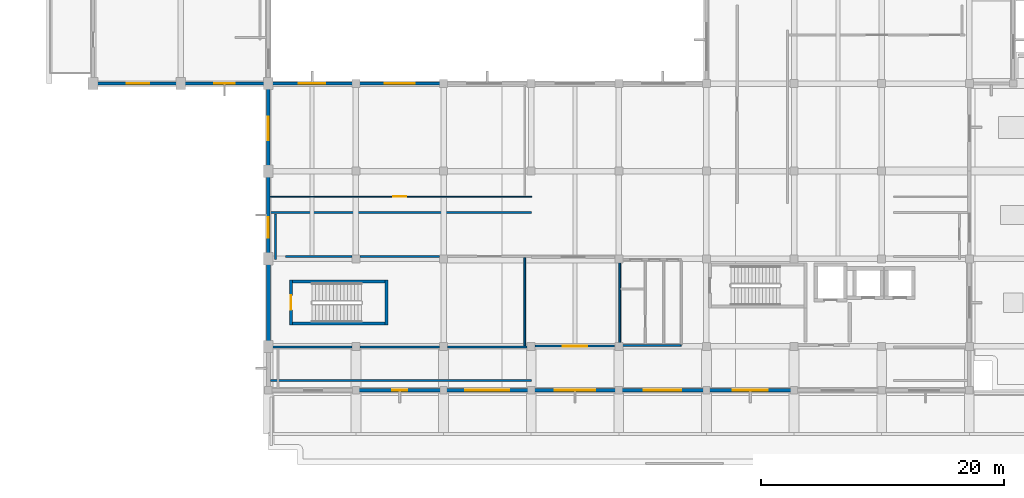
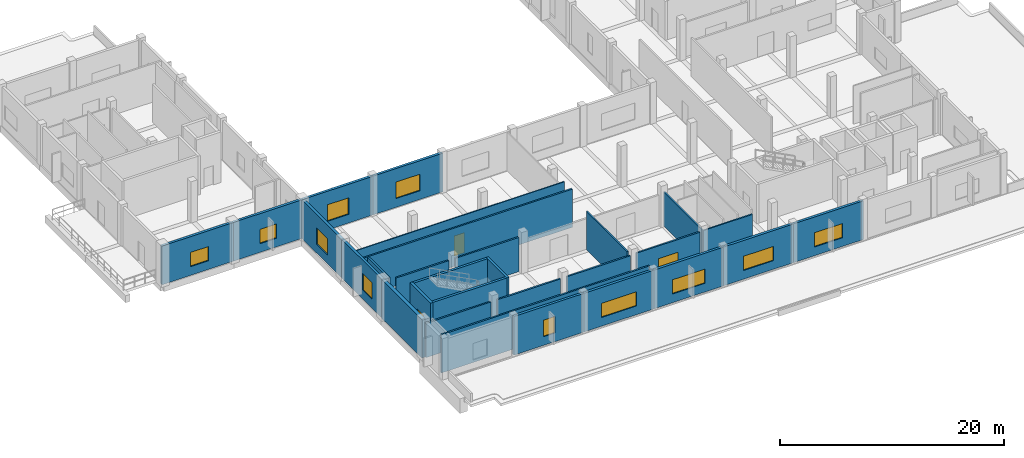
# One storey, part 4 of 16: 29 walls, 11 windows, 3 doors, 14 openings.
"""IFC4 building model written with IfcOpenShell, lengths in metres."""

from ifc_helpers import new_model, si_unit, direction, frame, frame_2d, origin, place, context, subcontext, project, spatial, rectangle, extrude, material, layer, layer_set, type_object, element, fill, save


model = new_model("IFC4")

# Units and contexts
model_context = context("Model", 3, precision=1e-05, world=origin(), true_north=direction((0.0, 1.0)))
body_context = subcontext(model_context, "Body", "Model", "MODEL_VIEW")
ifc_project = project(units=[si_unit("LENGTHUNIT", "METRE"), si_unit("AREAUNIT", "SQUARE_METRE"), si_unit("VOLUMEUNIT", "CUBIC_METRE"), si_unit("PLANEANGLEUNIT", "RADIAN"), si_unit("MASSUNIT", "GRAM", prefix="KILO")], contexts=[model_context])

# Site, building, storey
site_placement = place(None, origin())
site = spatial("IfcSite", under=ifc_project, at=site_placement, CompositionType="ELEMENT")
building_placement = place(site_placement, origin())
building = spatial("IfcBuilding", under=site, at=building_placement, Name="Seraya Terrace Polytechnic", CompositionType="ELEMENT")
storey_placement = place(building_placement, frame((0.0, 0.0, 23.39990234375)))
storey = spatial("IfcBuildingStorey", under=building, at=storey_placement, Name="L05", CompositionType="ELEMENT", Elevation=23.39990234375)

# Wall, opening, window
ifc_material_1 = material(Name="Precast concrete C40/50", Category="concrete")
ifc_layer_1 = layer(ifc_material_1, 0.260009765625, Name="EW-03")
ifc_layer_set_1 = layer_set([ifc_layer_1], Name="Precast concrete C40/50")
wall_type_1 = type_object("IfcWallType", Name="EW-03", PredefinedType="SOLIDWALL", material=ifc_layer_set_1)
wall_1_placement = place(storey_placement, frame((86.39990234375, 3.60009765625, 0.0), z_axis=(0.0, 0.0, 1.0), x_axis=(-1.0, 0.0, 0.0)))
wall_1 = element("IfcWall", 1, at=wall_1_placement, inside=storey, type_object=wall_type_1, Name="Exterior structural wall EW-03 L05", PredefinedType="SOLIDWALL", context=body_context, shape_type="SweptSolid", body=[
    extrude(rectangle(XDim=7.199951171875, YDim=0.260009765625, at=frame_2d((3.60009765625, 0.0))), origin(), (0.0, 0.0, 1.0), 4.22021484375),
])
opening_1_placement = place(wall_1_placement, frame((2.175048828125, 0.0, 0.949951171875)))
opening_1 = element("IfcOpeningElement", 2, at=opening_1_placement, cuts=wall_1, Name="Opening WN-23", PredefinedType="OPENING", context=body_context, shape_type="SweptSolid", body=[
    extrude(rectangle(XDim=2.85009765625, YDim=1.550048828125, at=frame_2d((1.425048828125, 0.77490234375))), frame((0.0, 0.14208984375, 0.0), z_axis=(0.0, -1.0, 0.0), x_axis=(1.0, 0.0, 0.0)), (0.0, 0.0, 1.0), 0.283935546875),
])
ifc_material_2 = material(Name="Laminated solar-control Low-E double glazing", Category="glass")
window_type_1 = type_object("IfcWindowType", Name="WN-23", PartitioningType="SINGLE_PANEL", PredefinedType="WINDOW", material=ifc_material_2)
window_1_placement = place(opening_1_placement, origin())
window_1 = element("IfcWindow", 3, at=window_1_placement, inside=storey, type_object=window_type_1, Name="Exterior window WN-23 L05", OverallHeight=1.550048828125, OverallWidth=2.85009765625, PartitioningType="SINGLE_PANEL", PredefinedType="WINDOW", context=body_context, shape_type="SweptSolid", body=[
    extrude(rectangle(XDim=2.85009765625, YDim=1.550048828125, at=frame_2d((1.425048828125, 0.77490234375))), frame((0.0, 0.030029296875, 0.0), z_axis=(0.0, -1.0, 0.0), x_axis=(1.0, 0.0, 0.0)), (0.0, 0.0, 1.0), 0.06005859375),
])
fill(opening_1, window_1)

wall_2_placement = place(storey_placement, frame((79.199951171875, 3.60009765625, 0.0), z_axis=(0.0, 0.0, 1.0), x_axis=(-1.0, 0.0, 0.0)))
wall_2 = element("IfcWall", 4, at=wall_2_placement, inside=storey, type_object=wall_type_1, Name="Exterior structural wall EW-03 L05", PredefinedType="SOLIDWALL", context=body_context, shape_type="SweptSolid", body=[
    extrude(rectangle(XDim=7.199951171875, YDim=0.260009765625, at=frame_2d((3.60009765625, 0.0))), origin(), (0.0, 0.0, 1.0), 4.22021484375),
])
opening_2_placement = place(wall_2_placement, frame((2.050048828125, 0.0, 0.949951171875)))
opening_2 = element("IfcOpeningElement", 5, at=opening_2_placement, cuts=wall_2, Name="Opening WN-24", PredefinedType="OPENING", context=body_context, shape_type="SweptSolid", body=[
    extrude(rectangle(XDim=3.10009765625, YDim=1.550048828125, at=frame_2d((1.550048828125, 0.77490234375))), frame((0.0, 0.14208984375, 0.0), z_axis=(0.0, -1.0, 0.0), x_axis=(1.0, 0.0, 0.0)), (0.0, 0.0, 1.0), 0.283935546875),
])
window_type_2 = type_object("IfcWindowType", Name="WN-24", PartitioningType="SINGLE_PANEL", PredefinedType="WINDOW", material=ifc_material_2)
window_2_placement = place(opening_2_placement, origin())
window_2 = element("IfcWindow", 6, at=window_2_placement, inside=storey, type_object=window_type_2, Name="Exterior window WN-24 L05", OverallHeight=1.550048828125, OverallWidth=3.10009765625, PartitioningType="SINGLE_PANEL", PredefinedType="WINDOW", context=body_context, shape_type="SweptSolid", body=[
    extrude(rectangle(XDim=3.10009765625, YDim=1.550048828125, at=frame_2d((1.550048828125, 0.77490234375))), frame((0.0, 0.030029296875, 0.0), z_axis=(0.0, -1.0, 0.0), x_axis=(1.0, 0.0, 0.0)), (0.0, 0.0, 1.0), 0.06005859375),
])
fill(opening_2, window_2)

wall_3_placement = place(storey_placement, frame((72.0, 3.60009765625, 0.0), z_axis=(0.0, 0.0, 1.0), x_axis=(-1.0, 0.0, 0.0)))
wall_3 = element("IfcWall", 7, at=wall_3_placement, inside=storey, type_object=wall_type_1, Name="Exterior structural wall EW-03 L05", PredefinedType="SOLIDWALL", context=body_context, shape_type="SweptSolid", body=[
    extrude(rectangle(XDim=7.199951171875, YDim=0.260009765625, at=frame_2d((3.60009765625, 0.0))), origin(), (0.0, 0.0, 1.0), 4.22021484375),
])
opening_3_placement = place(wall_3_placement, frame((1.925048828125, 0.0, 0.949951171875)))
opening_3 = element("IfcOpeningElement", 8, at=opening_3_placement, cuts=wall_3, Name="Opening WN-25", PredefinedType="OPENING", context=body_context, shape_type="SweptSolid", body=[
    extrude(rectangle(XDim=3.35009765625, YDim=1.550048828125, at=frame_2d((1.675048828125, 0.77490234375))), frame((0.0, 0.14208984375, 0.0), z_axis=(0.0, -1.0, 0.0), x_axis=(1.0, 0.0, 0.0)), (0.0, 0.0, 1.0), 0.283935546875),
])
window_type_3 = type_object("IfcWindowType", Name="WN-25", PartitioningType="SINGLE_PANEL", PredefinedType="WINDOW", material=ifc_material_2)
window_3_placement = place(opening_3_placement, origin())
window_3 = element("IfcWindow", 9, at=window_3_placement, inside=storey, type_object=window_type_3, Name="Exterior window WN-25 L05", OverallHeight=1.550048828125, OverallWidth=3.35009765625, PartitioningType="SINGLE_PANEL", PredefinedType="WINDOW", context=body_context, shape_type="SweptSolid", body=[
    extrude(rectangle(XDim=3.35009765625, YDim=1.550048828125, at=frame_2d((1.675048828125, 0.77490234375))), frame((0.0, 0.030029296875, 0.0), z_axis=(0.0, -1.0, 0.0), x_axis=(1.0, 0.0, 0.0)), (0.0, 0.0, 1.0), 0.06005859375),
])
fill(opening_3, window_3)

wall_4_placement = place(storey_placement, frame((64.800048828125, 3.60009765625, 0.0), z_axis=(0.0, 0.0, 1.0), x_axis=(-1.0, 0.0, 0.0)))
wall_4 = element("IfcWall", 10, at=wall_4_placement, inside=storey, type_object=wall_type_1, Name="Exterior structural wall EW-03 L05", PredefinedType="SOLIDWALL", context=body_context, shape_type="SweptSolid", body=[
    extrude(rectangle(XDim=7.199951171875, YDim=0.260009765625, at=frame_2d((3.60009765625, 0.0))), origin(), (0.0, 0.0, 1.0), 4.22021484375),
])
opening_4_placement = place(wall_4_placement, frame((1.800048828125, 0.0, 0.949951171875)))
opening_4 = element("IfcOpeningElement", 11, at=opening_4_placement, cuts=wall_4, Name="Opening WN-26", PredefinedType="OPENING", context=body_context, shape_type="SweptSolid", body=[
    extrude(rectangle(XDim=3.60009765625, YDim=1.550048828125, at=frame_2d((1.800048828125, 0.77490234375))), frame((0.0, 0.14208984375, 0.0), z_axis=(0.0, -1.0, 0.0), x_axis=(1.0, 0.0, 0.0)), (0.0, 0.0, 1.0), 0.283935546875),
])
window_type_4 = type_object("IfcWindowType", Name="WN-26", PartitioningType="SINGLE_PANEL", PredefinedType="WINDOW", material=ifc_material_2)
window_4_placement = place(opening_4_placement, origin())
window_4 = element("IfcWindow", 12, at=window_4_placement, inside=storey, type_object=window_type_4, Name="Exterior window WN-26 L05", OverallHeight=1.550048828125, OverallWidth=3.60009765625, PartitioningType="SINGLE_PANEL", PredefinedType="WINDOW", context=body_context, shape_type="SweptSolid", body=[
    extrude(rectangle(XDim=3.60009765625, YDim=1.550048828125, at=frame_2d((1.800048828125, 0.77490234375))), frame((0.0, 0.030029296875, 0.0), z_axis=(0.0, -1.0, 0.0), x_axis=(1.0, 0.0, 0.0)), (0.0, 0.0, 1.0), 0.06005859375),
])
fill(opening_4, window_4)

wall_5_placement = place(storey_placement, frame((57.60009765625, 3.60009765625, 0.0), z_axis=(0.0, 0.0, 1.0), x_axis=(-1.0, 0.0, 0.0)))
wall_5 = element("IfcWall", 13, at=wall_5_placement, inside=storey, type_object=wall_type_1, Name="Exterior structural wall EW-03 L05", PredefinedType="SOLIDWALL", context=body_context, shape_type="SweptSolid", body=[
    extrude(rectangle(XDim=7.2001953125, YDim=0.260009765625, at=frame_2d((3.60009765625, 0.0))), origin(), (0.0, 0.0, 1.0), 4.22021484375),
])
opening_5_placement = place(wall_5_placement, frame((3.0, 0.0, 0.949951171875)))
opening_5 = element("IfcOpeningElement", 14, at=opening_5_placement, cuts=wall_5, Name="Opening WN-27", PredefinedType="OPENING", context=body_context, shape_type="SweptSolid", body=[
    extrude(rectangle(XDim=1.199951171875, YDim=1.800048828125, at=frame_2d((0.60009765625, 0.89990234375))), frame((0.0, 0.14208984375, 0.0), z_axis=(0.0, -1.0, 0.0), x_axis=(1.0, 0.0, 0.0)), (0.0, 0.0, 1.0), 0.283935546875),
])
window_type_5 = type_object("IfcWindowType", Name="WN-27", PartitioningType="SINGLE_PANEL", PredefinedType="WINDOW", material=ifc_material_2)
window_5_placement = place(opening_5_placement, origin())
window_5 = element("IfcWindow", 15, at=window_5_placement, inside=storey, type_object=window_type_5, Name="Exterior window WN-27 L05", OverallHeight=1.800048828125, OverallWidth=1.199951171875, PartitioningType="SINGLE_PANEL", PredefinedType="WINDOW", context=body_context, shape_type="SweptSolid", body=[
    extrude(rectangle(XDim=1.199951171875, YDim=1.800048828125, at=frame_2d((0.60009765625, 0.89990234375))), frame((0.0, 0.030029296875, 0.0), z_axis=(0.0, -1.0, 0.0), x_axis=(1.0, 0.0, 0.0)), (0.0, 0.0, 1.0), 0.06005859375),
])
fill(opening_5, window_5)

wall_6_placement = place(storey_placement, frame((43.199951171875, 14.39990234375, 0.0), z_axis=(0.0, 0.0, 1.0), x_axis=(0.0, 1.0, 0.0)))
wall_6 = element("IfcWall", 16, at=wall_6_placement, inside=storey, type_object=wall_type_1, Name="Exterior structural wall EW-03 L05", PredefinedType="SOLIDWALL", context=body_context, shape_type="SweptSolid", body=[
    extrude(rectangle(XDim=7.2001953125, YDim=0.260009765625, at=frame_2d((3.60009765625, 0.0))), origin(), (0.0, 0.0, 1.0), 4.22021484375),
])
opening_6_placement = place(wall_6_placement, frame((1.715087890625, 0.0, 0.949951171875)))
opening_6 = element("IfcOpeningElement", 17, at=opening_6_placement, cuts=wall_6, Name="Opening WN-29", PredefinedType="OPENING", context=body_context, shape_type="SweptSolid", body=[
    extrude(rectangle(XDim=1.699951171875, YDim=1.800048828125, at=frame_2d((0.85009765625, 0.89990234375))), frame((0.0, 0.14208984375, 0.0), z_axis=(0.0, -1.0, 0.0), x_axis=(1.0, 0.0, 0.0)), (0.0, 0.0, 1.0), 0.283935546875),
])
window_type_6 = type_object("IfcWindowType", Name="WN-29", PartitioningType="SINGLE_PANEL", PredefinedType="WINDOW", material=ifc_material_2)
window_6_placement = place(opening_6_placement, origin())
window_6 = element("IfcWindow", 18, at=window_6_placement, inside=storey, type_object=window_type_6, Name="Exterior window WN-29 L05", OverallHeight=1.800048828125, OverallWidth=1.699951171875, PartitioningType="SINGLE_PANEL", PredefinedType="WINDOW", context=body_context, shape_type="SweptSolid", body=[
    extrude(rectangle(XDim=1.699951171875, YDim=1.800048828125, at=frame_2d((0.85009765625, 0.89990234375))), frame((0.0, 0.030029296875, 0.0), z_axis=(0.0, -1.0, 0.0), x_axis=(1.0, 0.0, 0.0)), (0.0, 0.0, 1.0), 0.06005859375),
])
fill(opening_6, window_6)

wall_7_placement = place(storey_placement, frame((43.199951171875, 21.60009765625, 0.0), z_axis=(0.0, 0.0, 1.0), x_axis=(0.0, 1.0, 0.0)))
wall_7 = element("IfcWall", 19, at=wall_7_placement, inside=storey, type_object=wall_type_1, Name="Exterior structural wall EW-03 L05", PredefinedType="SOLIDWALL", context=body_context, shape_type="SweptSolid", body=[
    extrude(rectangle(XDim=7.033935546875, YDim=0.260009765625, at=frame_2d((3.51708984375, 0.0))), origin(), (0.0, 0.0, 1.0), 4.22021484375),
])
opening_7_placement = place(wall_7_placement, frame((2.5419921875, 0.0, 0.949951171875)))
opening_7 = element("IfcOpeningElement", 20, at=opening_7_placement, cuts=wall_7, Name="Opening WN-30", PredefinedType="OPENING", context=body_context, shape_type="SweptSolid", body=[
    extrude(rectangle(XDim=1.949951171875, YDim=1.800048828125, at=frame_2d((0.97509765625, 0.89990234375))), frame((0.0, 0.14208984375, 0.0), z_axis=(0.0, -1.0, 0.0), x_axis=(1.0, 0.0, 0.0)), (0.0, 0.0, 1.0), 0.283935546875),
])
window_type_7 = type_object("IfcWindowType", Name="WN-30", PartitioningType="SINGLE_PANEL", PredefinedType="WINDOW", material=ifc_material_2)
window_7_placement = place(opening_7_placement, origin())
window_7 = element("IfcWindow", 21, at=window_7_placement, inside=storey, type_object=window_type_7, Name="Exterior window WN-30 L05", OverallHeight=1.800048828125, OverallWidth=1.949951171875, PartitioningType="SINGLE_PANEL", PredefinedType="WINDOW", context=body_context, shape_type="SweptSolid", body=[
    extrude(rectangle(XDim=1.949951171875, YDim=1.800048828125, at=frame_2d((0.97509765625, 0.89990234375))), frame((0.0, 0.030029296875, 0.0), z_axis=(0.0, -1.0, 0.0), x_axis=(1.0, 0.0, 0.0)), (0.0, 0.0, 1.0), 0.06005859375),
])
fill(opening_7, window_7)

wall_8_placement = place(storey_placement, frame((43.199951171875, 28.800048828125, 0.0), z_axis=(0.0, 0.0, 1.0), x_axis=(1.0, 0.0, 0.0)))
wall_8 = element("IfcWall", 22, at=wall_8_placement, inside=storey, type_object=wall_type_1, Name="Exterior structural wall EW-03 L05", PredefinedType="SOLIDWALL", context=body_context, shape_type="SweptSolid", body=[
    extrude(rectangle(XDim=7.199951171875, YDim=0.260009765625, at=frame_2d((3.60009765625, 0.0))), origin(), (0.0, 0.0, 1.0), 4.22021484375),
])
opening_8_placement = place(wall_8_placement, frame((2.5, 0.0, 0.949951171875)))
opening_8 = element("IfcOpeningElement", 23, at=opening_8_placement, cuts=wall_8, Name="Opening WN-31", PredefinedType="OPENING", context=body_context, shape_type="SweptSolid", body=[
    extrude(rectangle(XDim=2.199951171875, YDim=1.800048828125, at=frame_2d((1.10009765625, 0.89990234375))), frame((0.0, 0.14208984375, 0.0), z_axis=(0.0, -1.0, 0.0), x_axis=(1.0, 0.0, 0.0)), (0.0, 0.0, 1.0), 0.283935546875),
])
window_type_8 = type_object("IfcWindowType", Name="WN-31", PartitioningType="SINGLE_PANEL", PredefinedType="WINDOW", material=ifc_material_2)
window_8_placement = place(opening_8_placement, origin())
window_8 = element("IfcWindow", 24, at=window_8_placement, inside=storey, type_object=window_type_8, Name="Exterior window WN-31 L05", OverallHeight=1.800048828125, OverallWidth=2.199951171875, PartitioningType="SINGLE_PANEL", PredefinedType="WINDOW", context=body_context, shape_type="SweptSolid", body=[
    extrude(rectangle(XDim=2.199951171875, YDim=1.800048828125, at=frame_2d((1.10009765625, 0.89990234375))), frame((0.0, 0.030029296875, 0.0), z_axis=(0.0, -1.0, 0.0), x_axis=(1.0, 0.0, 0.0)), (0.0, 0.0, 1.0), 0.06005859375),
])
fill(opening_8, window_8)

wall_9_placement = place(storey_placement, frame((50.39990234375, 28.800048828125, 0.0), z_axis=(0.0, 0.0, 1.0), x_axis=(1.0, 0.0, 0.0)))
wall_9 = element("IfcWall", 25, at=wall_9_placement, inside=storey, type_object=wall_type_1, Name="Exterior structural wall EW-03 L05", PredefinedType="SOLIDWALL", context=body_context, shape_type="SweptSolid", body=[
    extrude(rectangle(XDim=7.2001953125, YDim=0.260009765625, at=frame_2d((3.60009765625, 0.0))), origin(), (0.0, 0.0, 1.0), 4.22021484375),
])
opening_9_placement = place(wall_9_placement, frame((2.35009765625, 0.0, 0.949951171875)))
opening_9 = element("IfcOpeningElement", 26, at=opening_9_placement, cuts=wall_9, Name="Opening WN-32", PredefinedType="OPENING", context=body_context, shape_type="SweptSolid", body=[
    extrude(rectangle(XDim=2.5, YDim=1.800048828125, at=frame_2d((1.25, 0.89990234375))), frame((0.0, 0.14208984375, 0.0), z_axis=(0.0, -1.0, 0.0), x_axis=(1.0, 0.0, 0.0)), (0.0, 0.0, 1.0), 0.283935546875),
])
window_type_9 = type_object("IfcWindowType", Name="WN-32", PartitioningType="SINGLE_PANEL", PredefinedType="WINDOW", material=ifc_material_2)
window_9_placement = place(opening_9_placement, origin())
window_9 = element("IfcWindow", 27, at=window_9_placement, inside=storey, type_object=window_type_9, Name="Exterior window WN-32 L05", OverallHeight=1.800048828125, OverallWidth=2.5, PartitioningType="SINGLE_PANEL", PredefinedType="WINDOW", context=body_context, shape_type="SweptSolid", body=[
    extrude(rectangle(XDim=2.5, YDim=1.800048828125, at=frame_2d((1.25, 0.89990234375))), frame((0.0, 0.030029296875, 0.0), z_axis=(0.0, -1.0, 0.0), x_axis=(1.0, 0.0, 0.0)), (0.0, 0.0, 1.0), 0.06005859375),
])
fill(opening_9, window_9)

wall_10_placement = place(storey_placement, frame((43.199951171875, 28.800048828125, 0.0), z_axis=(0.0, 0.0, 1.0), x_axis=(-1.0, 0.0, 0.0)))
wall_10 = element("IfcWall", 28, at=wall_10_placement, inside=storey, type_object=wall_type_1, Name="Exterior structural wall EW-03 L05", PredefinedType="SOLIDWALL", context=body_context, shape_type="SweptSolid", body=[
    extrude(rectangle(XDim=7.199951171875, YDim=0.260009765625, at=frame_2d((3.60009765625, 0.0))), origin(), (0.0, 0.0, 1.0), 4.22021484375),
])
opening_10_placement = place(wall_10_placement, frame((2.75, 0.0, 0.949951171875)))
opening_10 = element("IfcOpeningElement", 29, at=opening_10_placement, cuts=wall_10, Name="Opening WN-17", PredefinedType="OPENING", context=body_context, shape_type="SweptSolid", body=[
    extrude(rectangle(XDim=1.699951171875, YDim=1.550048828125, at=frame_2d((0.85009765625, 0.77490234375))), frame((0.0, 0.14208984375, 0.0), z_axis=(0.0, -1.0, 0.0), x_axis=(1.0, 0.0, 0.0)), (0.0, 0.0, 1.0), 0.283935546875),
])
window_type_10 = type_object("IfcWindowType", Name="WN-17", PartitioningType="SINGLE_PANEL", PredefinedType="WINDOW", material=ifc_material_2)
window_10_placement = place(opening_10_placement, origin())
window_10 = element("IfcWindow", 30, at=window_10_placement, inside=storey, type_object=window_type_10, Name="Exterior window WN-17 L05", OverallHeight=1.550048828125, OverallWidth=1.699951171875, PartitioningType="SINGLE_PANEL", PredefinedType="WINDOW", context=body_context, shape_type="SweptSolid", body=[
    extrude(rectangle(XDim=1.699951171875, YDim=1.550048828125, at=frame_2d((0.85009765625, 0.77490234375))), frame((0.0, 0.030029296875, 0.0), z_axis=(0.0, -1.0, 0.0), x_axis=(1.0, 0.0, 0.0)), (0.0, 0.0, 1.0), 0.06005859375),
])
fill(opening_10, window_10)

wall_11_placement = place(storey_placement, frame((36.0, 28.800048828125, 0.0), z_axis=(0.0, 0.0, 1.0), x_axis=(-1.0, 0.0, 0.0)))
wall_11 = element("IfcWall", 31, at=wall_11_placement, inside=storey, type_object=wall_type_1, Name="Exterior structural wall EW-03 L05", PredefinedType="SOLIDWALL", context=body_context, shape_type="SweptSolid", body=[
    extrude(rectangle(XDim=7.35009765625, YDim=0.260009765625, at=frame_2d((3.675048828125, 0.0))), origin(), (0.0, 0.0, 1.0), 4.22021484375),
])
opening_11_placement = place(wall_11_placement, frame((2.574951171875, 0.0, 0.949951171875)))
opening_11 = element("IfcOpeningElement", 32, at=opening_11_placement, cuts=wall_11, Name="Opening WN-18", PredefinedType="OPENING", context=body_context, shape_type="SweptSolid", body=[
    extrude(rectangle(XDim=1.85009765625, YDim=1.550048828125, at=frame_2d((0.925048828125, 0.77490234375))), frame((0.0, 0.14208984375, 0.0), z_axis=(0.0, -1.0, 0.0), x_axis=(1.0, 0.0, 0.0)), (0.0, 0.0, 1.0), 0.283935546875),
])
window_type_11 = type_object("IfcWindowType", Name="WN-18", PartitioningType="SINGLE_PANEL", PredefinedType="WINDOW", material=ifc_material_2)
window_11_placement = place(opening_11_placement, origin())
window_11 = element("IfcWindow", 33, at=window_11_placement, inside=storey, type_object=window_type_11, Name="Exterior window WN-18 L05", OverallHeight=1.550048828125, OverallWidth=1.85009765625, PartitioningType="SINGLE_PANEL", PredefinedType="WINDOW", context=body_context, shape_type="SweptSolid", body=[
    extrude(rectangle(XDim=1.85009765625, YDim=1.550048828125, at=frame_2d((0.925048828125, 0.77490234375))), frame((0.0, 0.030029296875, 0.0), z_axis=(0.0, -1.0, 0.0), x_axis=(1.0, 0.0, 0.0)), (0.0, 0.0, 1.0), 0.06005859375),
])
fill(opening_11, window_11)

# Walls
ifc_material_3 = material(Name="Concrete C40/50", Category="concrete")
ifc_layer_2 = layer(ifc_material_3, 0.330078125, Name="EW-06")
ifc_layer_set_2 = layer_set([ifc_layer_2], Name="Concrete C40/50")
wall_type_2 = type_object("IfcWallType", Name="EW-06", PredefinedType="SOLIDWALL", material=ifc_layer_set_2)
wall_12_placement = place(storey_placement, frame((43.199951171875, 7.199951171875, 0.0), z_axis=(0.0, 0.0, 1.0), x_axis=(0.0, 1.0, 0.0)))
element("IfcWall", 34, at=wall_12_placement, inside=storey, type_object=wall_type_2, Name="Exterior structural wall EW-06 L05", PredefinedType="SOLIDWALL", context=body_context, shape_type="SweptSolid", body=[
    extrude(rectangle(XDim=7.199951171875, YDim=0.330078125, at=frame_2d((3.60009765625, 0.0))), origin(), (0.0, 0.0, 1.0), 4.22021484375),
])
ifc_material_4 = material(Name="Autoclaved aerated concrete blockwork", Category="masonry")
ifc_layer_3 = layer(ifc_material_4, 0.169921875, Name="PT-02")
ifc_layer_set_3 = layer_set([ifc_layer_3], Name="Autoclaved aerated concrete blockwork")
wall_type_3 = type_object("IfcWallType", Name="PT-02", PredefinedType="PARTITIONING", material=ifc_layer_set_3)
wall_13_placement = place(storey_placement, frame((43.342041015625, 18.199951171875, 0.0), z_axis=(0.0, 0.0, 1.0), x_axis=(1.0, 0.0, 0.0)))
element("IfcWall", 35, at=wall_13_placement, inside=storey, type_object=wall_type_3, Name="Internal partition PT-02 L05", PredefinedType="PARTITIONING", context=body_context, shape_type="SweptSolid", body=[
    extrude(rectangle(XDim=21.502685546875, YDim=0.169921875, at=frame_2d((10.75146484375, 0.0))), origin(), (0.0, 0.0, 1.0), 4.16015625),
])
wall_14_placement = place(storey_placement, frame((50.735107421875, 14.60009765625, 0.0), z_axis=(0.0, 0.0, 1.0), x_axis=(1.0, 0.0, 0.0)))
element("IfcWall", 36, at=wall_14_placement, inside=storey, type_object=wall_type_3, Name="Internal partition PT-02 L05", PredefinedType="PARTITIONING", context=body_context, shape_type="SweptSolid", body=[
    extrude(rectangle(XDim=6.52978515625, YDim=0.169921875, at=frame_2d((3.264892578125, 0.0))), origin(), (0.0, 0.0, 1.0), 3.72998046875),
])
wall_15_placement = place(storey_placement, frame((44.618408203125, 14.60009765625, 0.0), z_axis=(0.0, 0.0, 1.0), x_axis=(1.0, 0.0, 0.0)))
element("IfcWall", 37, at=wall_15_placement, inside=storey, type_object=wall_type_3, Name="Internal partition PT-02 L05", PredefinedType="PARTITIONING", context=body_context, shape_type="SweptSolid", body=[
    extrude(rectangle(XDim=5.446533203125, YDim=0.169921875, at=frame_2d((2.72314453125, 0.0))), origin(), (0.0, 0.0, 1.0), 3.72998046875),
])
wall_16_placement = place(storey_placement, frame((43.800048828125, 14.360107421875, 0.0), z_axis=(0.0, 0.0, 1.0), x_axis=(0.0, 1.0, 0.0)))
element("IfcWall", 38, at=wall_16_placement, inside=storey, type_object=wall_type_3, Name="Internal partition PT-02 L05", PredefinedType="PARTITIONING", context=body_context, shape_type="SweptSolid", body=[
    extrude(rectangle(XDim=3.739990234375, YDim=0.169921875, at=frame_2d((1.8701171875, 0.0))), origin(), (0.0, 0.0, 1.0), 4.16015625),
])
wall_17_placement = place(storey_placement, frame((50.735107421875, 7.14990234375, 0.0), z_axis=(0.0, 0.0, 1.0), x_axis=(1.0, 0.0, 0.0)))
element("IfcWall", 39, at=wall_17_placement, inside=storey, type_object=wall_type_3, Name="Internal partition PT-02 L05", PredefinedType="PARTITIONING", context=body_context, shape_type="SweptSolid", body=[
    extrude(rectangle(XDim=6.52978515625, YDim=0.169921875, at=frame_2d((3.264892578125, 0.0))), origin(), (0.0, 0.0, 1.0), 3.72998046875),
])
wall_18_placement = place(storey_placement, frame((57.93505859375, 7.14990234375, 0.0), z_axis=(0.0, 0.0, 1.0), x_axis=(1.0, 0.0, 0.0)))
element("IfcWall", 40, at=wall_18_placement, inside=storey, type_object=wall_type_3, Name="Internal partition PT-02 L05", PredefinedType="PARTITIONING", context=body_context, shape_type="SweptSolid", body=[
    extrude(rectangle(XDim=6.530029296875, YDim=0.169921875, at=frame_2d((3.26513671875, 0.0))), origin(), (0.0, 0.0, 1.0), 3.72998046875),
])
wall_19_placement = place(storey_placement, frame((43.376953125, 7.14990234375, 0.0), z_axis=(0.0, 0.0, 1.0), x_axis=(1.0, 0.0, 0.0)))
element("IfcWall", 41, at=wall_19_placement, inside=storey, type_object=wall_type_3, Name="Internal partition PT-02 L05", PredefinedType="PARTITIONING", context=body_context, shape_type="SweptSolid", body=[
    extrude(rectangle(XDim=6.68798828125, YDim=0.169921875, at=frame_2d((3.343994140625, 0.0))), origin(), (0.0, 0.0, 1.0), 3.72998046875),
])
wall_20_placement = place(storey_placement, frame((43.376953125, 4.39990234375, 0.0), z_axis=(0.0, 0.0, 1.0), x_axis=(1.0, 0.0, 0.0)))
element("IfcWall", 42, at=wall_20_placement, inside=storey, type_object=wall_type_3, Name="Internal partition PT-02 L05", PredefinedType="PARTITIONING", context=body_context, shape_type="SweptSolid", body=[
    extrude(rectangle(XDim=21.4677734375, YDim=0.169921875, at=frame_2d((10.73388671875, 0.0))), origin(), (0.0, 0.0, 1.0), 4.16015625),
])

# Wall, opening, door
wall_21_placement = place(storey_placement, frame((65.135009765625, 7.219970703125, 0.0), z_axis=(0.0, 0.0, 1.0), x_axis=(1.0, 0.0, 0.0)))
wall_21 = element("IfcWall", 43, at=wall_21_placement, inside=storey, type_object=wall_type_3, Name="Internal partition PT-02 L05", PredefinedType="PARTITIONING", context=body_context, shape_type="SweptSolid", body=[
    extrude(rectangle(XDim=6.530029296875, YDim=0.169921875, at=frame_2d((3.26513671875, 0.0))), origin(), (0.0, 0.0, 1.0), 3.72998046875),
])
opening_12_placement = place(wall_21_placement, frame((2.2451171875, 0.0, 0.0)))
opening_12 = element("IfcOpeningElement", 44, at=opening_12_placement, cuts=wall_21, Name="Opening ID-17", PredefinedType="OPENING", context=body_context, shape_type="SweptSolid", body=[
    extrude(rectangle(XDim=2.0400390625, YDim=2.340087890625, at=frame_2d((1.02001953125, 1.169921875))), frame((0.0, 0.096923828125, 0.0), z_axis=(0.0, -1.0, 0.0), x_axis=(1.0, 0.0, 0.0)), (0.0, 0.0, 1.0), 0.19384765625),
])
ifc_material_5 = material(Name="Malaysian dark red meranti hardwood timber D40", Category="wood")
door_type_1 = type_object("IfcDoorType", Name="ID-17", OperationType="DOUBLE_DOOR_SINGLE_SWING", PredefinedType="DOOR", material=ifc_material_5)
door_1_placement = place(opening_12_placement, origin())
door_1 = element("IfcDoor", 45, at=door_1_placement, inside=storey, type_object=door_type_1, Name="Door ID-17 DR-INT-L05-0254 in WL-INT-L05-0724", OperationType="DOUBLE_DOOR_SINGLE_SWING", OverallHeight=2.340087890625, OverallWidth=2.0400390625, PredefinedType="DOOR", context=body_context, shape_type="SweptSolid", body=[
    extrude(rectangle(XDim=2.0400390625, YDim=2.340087890625, at=frame_2d((1.02001953125, 1.169921875))), frame((0.0, 0.02490234375, 0.0), z_axis=(0.0, -1.0, 0.0), x_axis=(1.0, 0.0, 0.0)), (0.0, 0.0, 1.0), 0.050048828125),
])
fill(opening_12, door_1)

# Walls
ifc_layer_4 = layer(ifc_material_4, 0.14990234375, Name="PT-03")
ifc_layer_set_4 = layer_set([ifc_layer_4], Name="Autoclaved aerated concrete blockwork")
wall_type_4 = type_object("IfcWallType", Name="PT-03", PredefinedType="PARTITIONING", material=ifc_layer_set_4)
wall_22_placement = place(storey_placement, frame((64.273193359375, 7.25, 0.0), z_axis=(0.0, 0.0, 1.0), x_axis=(0.0, 1.0, 0.0)))
element("IfcWall", 46, at=wall_22_placement, inside=storey, type_object=wall_type_4, Name="Internal partition PT-03 L05", PredefinedType="PARTITIONING", context=body_context, shape_type="SweptSolid", body=[
    extrude(rectangle(XDim=7.25, YDim=0.14990234375, at=frame_2d((3.625, 0.0))), origin(), (0.0, 0.0, 1.0), 4.16015625),
])
ifc_layer_5 = layer(ifc_material_4, 0.139892578125, Name="PT-04")
ifc_layer_set_5 = layer_set([ifc_layer_5], Name="Autoclaved aerated concrete blockwork")
wall_type_5 = type_object("IfcWallType", Name="PT-04", PredefinedType="PARTITIONING", material=ifc_layer_set_5)
wall_23_placement = place(storey_placement, frame((72.070068359375, 7.27001953125, 0.0), z_axis=(0.0, 0.0, 1.0), x_axis=(1.0, 0.0, 0.0)))
element("IfcWall", 47, at=wall_23_placement, inside=storey, type_object=wall_type_5, Name="Sanitary WC-A South wall L05", PredefinedType="PARTITIONING", context=body_context, shape_type="SweptSolid", body=[
    extrude(rectangle(XDim=5.059814453125, YDim=0.139892578125, at=frame_2d((2.52978515625, 0.0))), origin(), (0.0, 0.0, 1.0), 3.72998046875),
])
wall_24_placement = place(storey_placement, frame((72.070068359375, 7.35009765625, 0.0), z_axis=(0.0, 0.0, 1.0), x_axis=(0.0, 1.0, 0.0)))
element("IfcWall", 48, at=wall_24_placement, inside=storey, type_object=wall_type_5, Name="Sanitary WC-A West wall L05", PredefinedType="PARTITIONING", context=body_context, shape_type="SweptSolid", body=[
    extrude(rectangle(XDim=6.89990234375, YDim=0.139892578125, at=frame_2d((3.449951171875, 0.0))), origin(), (0.0, 0.0, 1.0), 3.72998046875),
])

# Wall, opening, door
ifc_layer_6 = layer(ifc_material_4, 0.10009765625, Name="PT-06")
ifc_layer_set_6 = layer_set([ifc_layer_6], Name="Autoclaved aerated concrete blockwork")
wall_type_6 = type_object("IfcWallType", Name="PT-06", PredefinedType="PARTITIONING", material=ifc_layer_set_6)
wall_25_placement = place(storey_placement, frame((43.342041015625, 19.510009765625, 0.0), z_axis=(0.0, 0.0, 1.0), x_axis=(1.0, 0.0, 0.0)))
wall_25 = element("IfcWall", 49, at=wall_25_placement, inside=storey, type_object=wall_type_6, Name="Internal partition PT-06 L05", PredefinedType="PARTITIONING", context=body_context, shape_type="SweptSolid", body=[
    extrude(rectangle(XDim=21.4912109375, YDim=0.10009765625, at=frame_2d((10.74560546875, 0.0))), origin(), (0.0, 0.0, 1.0), 4.16015625),
])
opening_13_placement = place(wall_25_placement, frame((10.12158203125, 0.0, 0.0)))
opening_13 = element("IfcOpeningElement", 50, at=opening_13_placement, cuts=wall_25, Name="Opening ID-05", PredefinedType="OPENING", context=body_context, shape_type="SweptSolid", body=[
    extrude(rectangle(XDim=1.080078125, YDim=2.199951171875, at=frame_2d((0.5400390625, 1.10009765625))), frame((0.0, 0.06201171875, 0.0), z_axis=(0.0, -1.0, 0.0), x_axis=(1.0, 0.0, 0.0)), (0.0, 0.0, 1.0), 0.1240234375),
])
door_type_2 = type_object("IfcDoorType", Name="ID-05", OperationType="NOTDEFINED", PredefinedType="DOOR", material=ifc_material_5)
door_2_placement = place(opening_13_placement, origin())
door_2 = element("IfcDoor", 51, at=door_2_placement, inside=storey, type_object=door_type_2, Name="Door ID-05 DR-INT-L05-0258 in WL-INT-L05-0738", OperationType="SINGLE_SWING_LEFT", OverallHeight=2.199951171875, OverallWidth=1.080078125, PredefinedType="DOOR", context=body_context, shape_type="SweptSolid", body=[
    extrude(rectangle(XDim=1.080078125, YDim=2.199951171875, at=frame_2d((0.5400390625, 1.10009765625))), frame((0.0, 0.02490234375, 0.0), z_axis=(0.0, -1.0, 0.0), x_axis=(1.0, 0.0, 0.0)), (0.0, 0.0, 1.0), 0.050048828125),
])
fill(opening_13, door_2)

ifc_layer_7 = layer(ifc_material_3, 0.25, Name="SW-02")
ifc_layer_set_7 = layer_set([ifc_layer_7], Name="Concrete C40/50")
wall_type_7 = type_object("IfcWallType", Name="SW-02", PredefinedType="SHEAR", material=ifc_layer_set_7)
wall_26_placement = place(storey_placement, frame((45.074951171875, 8.949951171875, 0.0), z_axis=(0.0, 0.0, 1.0), x_axis=(0.0, 1.0, 0.0)))
wall_26 = element("IfcWall", 52, at=wall_26_placement, inside=storey, type_object=wall_type_7, Name="Stairwell ST-03 West wall L05", PredefinedType="SHEAR", context=body_context, shape_type="SweptSolid", body=[
    extrude(rectangle(XDim=3.699951171875, YDim=0.25, at=frame_2d((1.85009765625, 0.0))), origin(), (0.0, 0.0, 1.0), 4.25),
])
opening_14_placement = place(wall_26_placement, frame((1.25, 0.0, 0.0)))
opening_14 = element("IfcOpeningElement", 53, at=opening_14_placement, cuts=wall_26, Name="Opening FD-01", PredefinedType="OPENING", context=body_context, shape_type="SweptSolid", body=[
    extrude(rectangle(XDim=1.199951171875, YDim=2.14990234375, at=frame_2d((0.60009765625, 1.074951171875))), frame((0.0, 0.136962890625, 0.0), z_axis=(0.0, -1.0, 0.0), x_axis=(1.0, 0.0, 0.0)), (0.0, 0.0, 1.0), 0.27392578125),
])
ifc_material_6 = material(Name="Steel S355J2", Category="steel")
door_type_3 = type_object("IfcDoorType", Name="FD-01", OperationType="NOTDEFINED", PredefinedType="DOOR", material=ifc_material_6)
door_3_placement = place(opening_14_placement, frame((1.199951171875, 0.0, 0.0), z_axis=(0.0, 0.0, 1.0), x_axis=(-1.0, 0.0, 0.0)))
door_3 = element("IfcDoor", 54, at=door_3_placement, inside=storey, type_object=door_type_3, Name="Door FD-01 DR-STR-ST-03-L05 in WL-STR-ST-03-L05-W", OperationType="SINGLE_SWING_LEFT", OverallHeight=2.14990234375, OverallWidth=1.199951171875, PredefinedType="DOOR", context=body_context, shape_type="SweptSolid", body=[
    extrude(rectangle(XDim=1.199951171875, YDim=2.14990234375, at=frame_2d((0.60009765625, 1.074951171875))), frame((0.0, 0.02490234375, 0.0), z_axis=(0.0, -1.0, 0.0), x_axis=(1.0, 0.0, 0.0)), (0.0, 0.0, 1.0), 0.050048828125),
])
fill(opening_14, door_3)

# Walls
wall_27_placement = place(storey_placement, frame((52.925048828125, 8.949951171875, 0.0), z_axis=(0.0, 0.0, 1.0), x_axis=(0.0, 1.0, 0.0)))
element("IfcWall", 55, at=wall_27_placement, inside=storey, type_object=wall_type_7, Name="Stairwell ST-03 East wall L05", PredefinedType="SHEAR", context=body_context, shape_type="SweptSolid", body=[
    extrude(rectangle(XDim=3.699951171875, YDim=0.25, at=frame_2d((1.85009765625, 0.0))), origin(), (0.0, 0.0, 1.0), 4.25),
])
for number, where, z_axis, x_axis, name in (
    (56, (45.199951171875, 9.074951171875, 0.0), (0.0, 0.0, 1.0), (1.0, 0.0, 0.0), "Stairwell ST-03 South wall L05"),
    (57, (45.199951171875, 12.52490234375, 0.0), (0.0, 0.0, 1.0), (1.0, 0.0, 0.0), "Stairwell ST-03 North wall L05"),
):
    element("IfcWall", number, at=place(storey_placement, frame(where, z_axis=z_axis, x_axis=x_axis)), inside=storey, type_object=wall_type_7, Name=name, PredefinedType="SHEAR", context=body_context, shape_type="SweptSolid", body=[
        extrude(rectangle(XDim=7.60009765625, YDim=0.25, at=frame_2d((3.800048828125, 0.0))), origin(), (0.0, 0.0, 1.0), 4.25),
    ])

save(model, "model.ifc")
